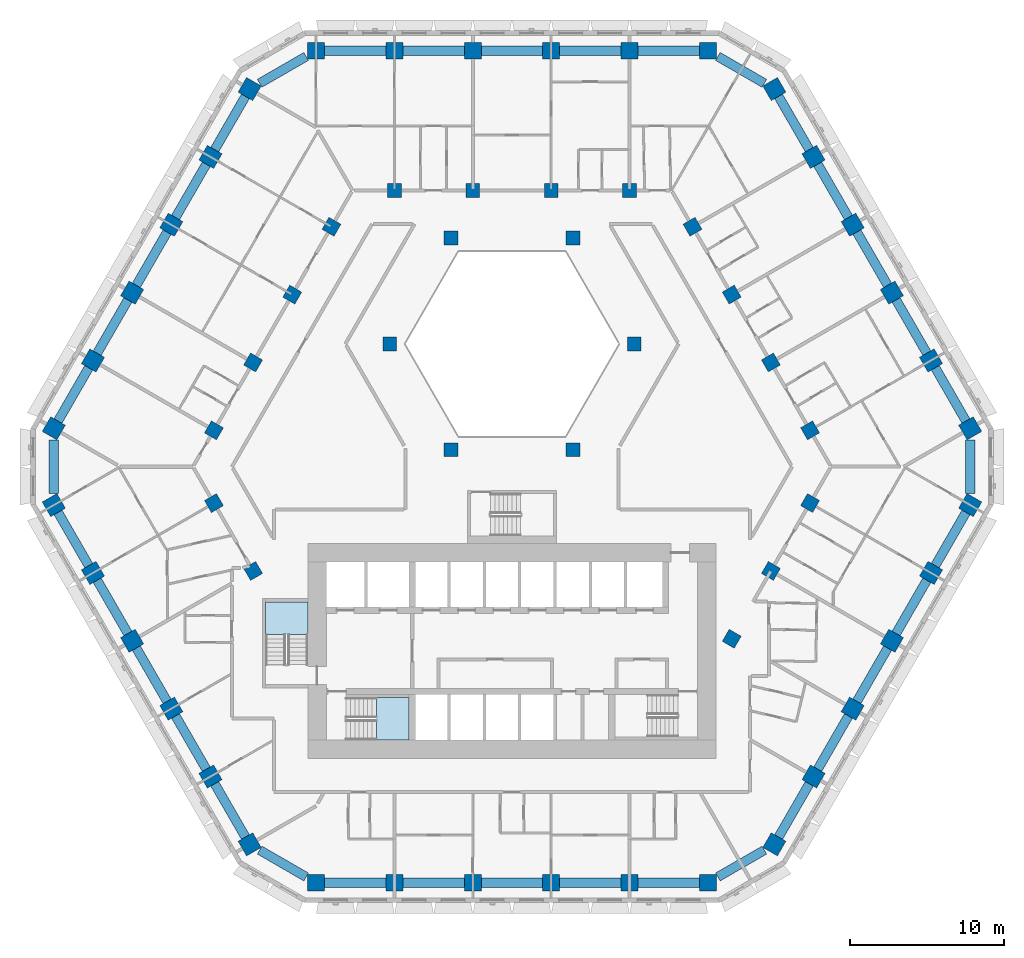
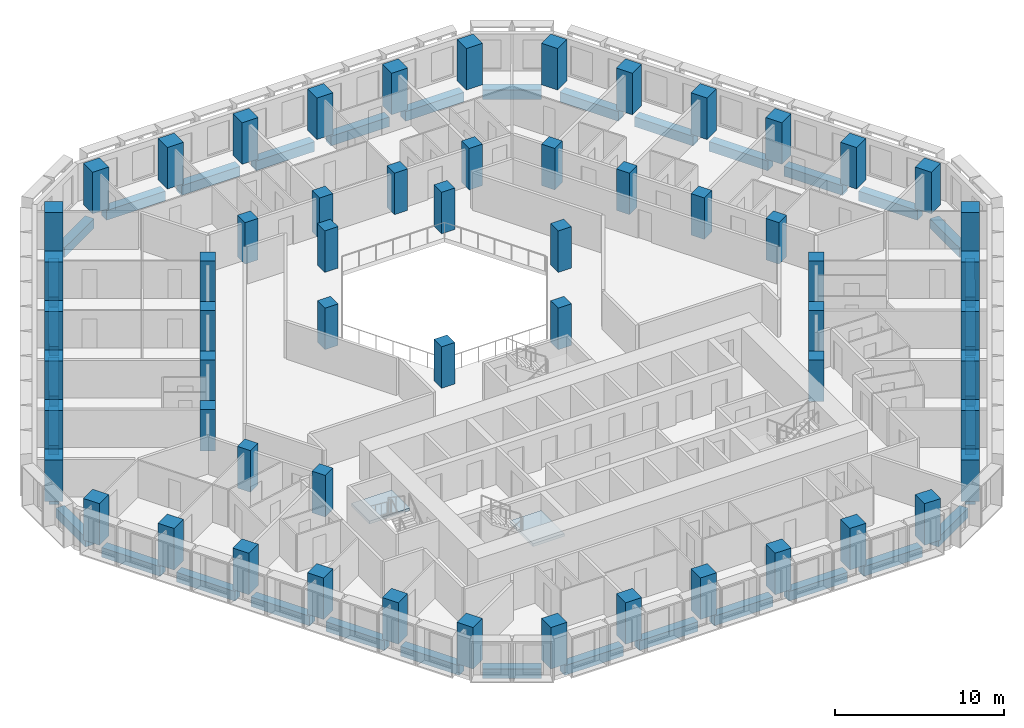
# One storey, part 1 of 21: 59 columns, 36 beams, 2 slabs, 2 elements without a shape of their own.
"""IFC4 building model written with IfcOpenShell, lengths in metres."""

from ifc_helpers import new_model, si_unit, direction, frame, origin, origin_2d, place, context, subcontext, project, spatial, polyline, rectangle, outline, extrude, material, layer, layer_set, material_profile, profile_set, type_object, element, aggregate, save


model = new_model("IFC4")

# Units and contexts
model_context = context("Model", 3, precision=1e-05, world=origin(), true_north=direction((0.0, 1.0)))
body_context = subcontext(model_context, "Body", "Model", "MODEL_VIEW")
ifc_project = project(units=[si_unit("LENGTHUNIT", "METRE"), si_unit("AREAUNIT", "SQUARE_METRE"), si_unit("VOLUMEUNIT", "CUBIC_METRE"), si_unit("PLANEANGLEUNIT", "RADIAN"), si_unit("MASSUNIT", "GRAM", prefix="KILO")], contexts=[model_context])

# Site, building, storey
site_placement = place(None, origin())
site = spatial("IfcSite", under=ifc_project, at=site_placement, CompositionType="ELEMENT")
building_placement = place(site_placement, origin())
building = spatial("IfcBuilding", under=site, at=building_placement, Name="Beryl Residences", CompositionType="ELEMENT")
storey_placement = place(building_placement, frame((0.0, 0.0, 47.39990234375)))
storey = spatial("IfcBuildingStorey", under=building, at=storey_placement, Name="L14", CompositionType="ELEMENT", Elevation=47.39990234375)

# Columns
ifc_material_1 = material(Name="Concrete C80/95", Category="concrete")
ifc_material_profile_1 = material_profile(ifc_material_1, rectangle(XDim=1.10009765625, YDim=1.10009765625, at=origin_2d()))
ifc_profile_set_1 = profile_set([ifc_material_profile_1], Name="Concrete C80/95")
column_type_1 = type_object("IfcColumnType", Name="C1 tube column 1100 x 1100 C80/95", PredefinedType="COLUMN", material=ifc_profile_set_1)
for number, where, z_axis, x_axis, name in (
    (1, (12.759033203125, 27.10009765625, 0.0), (0.0, 0.0, 1.0), (-1.0, 0.0, 0.0), "C1-N1 L14"),
    (2, (7.655029296875, 27.10009765625, 0.0), (0.0, 0.0, 1.0), (-1.0, 0.0, 0.0), "C1-N2 L14"),
    (3, (2.551025390625, 27.10009765625, 0.0), (0.0, 0.0, 1.0), (-1.0, 0.0, 0.0), "C1-N3 L14"),
    (4, (-2.552978515625, 27.10009765625, 0.0), (0.0, 0.0, 1.0), (-1.0, 0.0, 0.0), "C1-N4 L14"),
    (5, (-7.656982421875, 27.10009765625, 0.0), (0.0, 0.0, 1.0), (-1.0, 0.0, 0.0), "C1-N5 L14"),
    (6, (-12.760986328125, 27.10009765625, 0.0), (0.0, 0.0, 1.0), (-1.0, 0.0, 0.0), "C1-N6 L14"),
    (7, (-17.090087890625, 24.60009765625, 0.0), (0.0, 0.0, 1.0), (-0.499984884929, -0.866034130299, 0.0), "C1-NW1 L14"),
    (8, (-19.64208984375, 20.179931640625, 0.0), (0.0, 0.0, 1.0), (-0.499984884929, -0.866034130299, 0.0), "C1-NW2 L14"),
    (9, (-22.194091796875, 15.759033203125, 0.0), (0.0, 0.0, 1.0), (-0.499984884929, -0.866034130299, 0.0), "C1-NW3 L14"),
    (10, (-24.74609375, 11.339111328125, 0.0), (0.0, 0.0, 1.0), (-0.499984884929, -0.866034130299, 0.0), "C1-NW4 L14"),
    (11, (-27.298095703125, 6.9189453125, 0.0), (0.0, 0.0, 1.0), (-0.499984884929, -0.866034130299, 0.0), "C1-NW5 L14"),
    (12, (-29.84912109375, 2.4990234375, 0.0), (0.0, 0.0, 1.0), (-0.499984884929, -0.866034130299, 0.0), "C1-NW6 L14"),
    (13, (-29.847900390625, -2.5, 0.0), (0.0, 0.0, 1.0), (0.499984884929, -0.866034130299, 0.0), "C1-SW1 L14"),
    (14, (-27.297119140625, -6.9208984375, 0.0), (0.0, 0.0, 1.0), (0.499984884929, -0.866034130299, 0.0), "C1-SW2 L14"),
    (15, (-24.7451171875, -11.341064453125, 0.0), (0.0, 0.0, 1.0), (0.499984884929, -0.866034130299, 0.0), "C1-SW3 L14"),
    (16, (-22.193115234375, -15.760986328125, 0.0), (0.0, 0.0, 1.0), (0.499984884929, -0.866034130299, 0.0), "C1-SW4 L14"),
    (17, (-19.64111328125, -20.180908203125, 0.0), (0.0, 0.0, 1.0), (0.499984884929, -0.866034130299, 0.0), "C1-SW5 L14"),
    (18, (-17.089111328125, -24.60107421875, 0.0), (0.0, 0.0, 1.0), (0.499984884929, -0.866034130299, 0.0), "C1-SW6 L14"),
    (19, (-12.759033203125, -27.10009765625, 0.0), (0.0, 0.0, 1.0), (1.0, 0.0, 0.0), "C1-S1 L14"),
    (20, (-7.655029296875, -27.10009765625, 0.0), (0.0, 0.0, 1.0), (1.0, 0.0, 0.0), "C1-S2 L14"),
    (21, (-2.551025390625, -27.10009765625, 0.0), (0.0, 0.0, 1.0), (1.0, 0.0, 0.0), "C1-S3 L14"),
    (22, (2.552978515625, -27.10009765625, 0.0), (0.0, 0.0, 1.0), (1.0, 0.0, 0.0), "C1-S4 L14"),
    (23, (7.656982421875, -27.10009765625, 0.0), (0.0, 0.0, 1.0), (1.0, 0.0, 0.0), "C1-S5 L14"),
    (24, (12.760986328125, -27.10009765625, 0.0), (0.0, 0.0, 1.0), (1.0, 0.0, 0.0), "C1-S6 L14"),
    (25, (17.090087890625, -24.60009765625, 0.0), (0.0, 0.0, 1.0), (0.499984884929, 0.866034130299, 0.0), "C1-SE1 L14"),
    (26, (19.64208984375, -20.179931640625, 0.0), (0.0, 0.0, 1.0), (0.499984884929, 0.866034130299, 0.0), "C1-SE2 L14"),
    (27, (22.194091796875, -15.759033203125, 0.0), (0.0, 0.0, 1.0), (0.499984884929, 0.866034130299, 0.0), "C1-SE3 L14"),
    (28, (24.74609375, -11.339111328125, 0.0), (0.0, 0.0, 1.0), (0.499984884929, 0.866034130299, 0.0), "C1-SE4 L14"),
    (29, (27.298095703125, -6.9189453125, 0.0), (0.0, 0.0, 1.0), (0.499984884929, 0.866034130299, 0.0), "C1-SE5 L14"),
    (30, (29.84912109375, -2.4990234375, 0.0), (0.0, 0.0, 1.0), (0.499984884929, 0.866034130299, 0.0), "C1-SE6 L14"),
    (31, (29.847900390625, 2.5, 0.0), (0.0, 0.0, 1.0), (-0.499984884929, 0.866034130299, 0.0), "C1-NE1 L14"),
    (32, (27.297119140625, 6.9208984375, 0.0), (0.0, 0.0, 1.0), (-0.499984884929, 0.866034130299, 0.0), "C1-NE2 L14"),
    (33, (24.7451171875, 11.341064453125, 0.0), (0.0, 0.0, 1.0), (-0.499984884929, 0.866034130299, 0.0), "C1-NE3 L14"),
    (34, (22.193115234375, 15.760986328125, 0.0), (0.0, 0.0, 1.0), (-0.499984884929, 0.866034130299, 0.0), "C1-NE4 L14"),
    (35, (19.64111328125, 20.180908203125, 0.0), (0.0, 0.0, 1.0), (-0.499984884929, 0.866034130299, 0.0), "C1-NE5 L14"),
    (36, (17.089111328125, 24.60107421875, 0.0), (0.0, 0.0, 1.0), (-0.499984884929, 0.866034130299, 0.0), "C1-NE6 L14"),
):
    element("IfcColumn", number, at=place(storey_placement, frame(where, z_axis=z_axis, x_axis=x_axis)), inside=storey, type_object=column_type_1, Name=name, PredefinedType="COLUMN", context=body_context, shape_type="SweptSolid", body=[
        extrude(rectangle(XDim=1.10009765625, YDim=1.10009765625, at=origin_2d()), origin(), (0.0, 0.0, 1.0), 3.0),
    ])
ifc_material_2 = material(Name="Concrete C80/95", Category="concrete")
ifc_material_profile_2 = material_profile(ifc_material_2, rectangle(XDim=0.89990234375, YDim=0.89990234375, at=origin_2d()))
ifc_profile_set_2 = profile_set([ifc_material_profile_2], Name="Concrete C80/95")
column_type_2 = type_object("IfcColumnType", Name="IC1 interior column 900 x 900 C80/95", PredefinedType="COLUMN", material=ifc_profile_set_2)
for number, where, z_axis, x_axis, name in (
    (37, (-19.416015625, -2.37109375, 0.0), (0.0, 0.0, 1.0), (0.499984884929, -0.866034130299, 0.0), "IC1-M01 L14"),
    (38, (-16.864013671875, -6.791015625, 0.0), (0.0, 0.0, 1.0), (0.499984884929, -0.866034130299, 0.0), "IC1-M02 L14"),
    (39, (14.31298828125, -11.208984375, 0.0), (0.0, 0.0, 1.0), (0.499984884929, 0.866034130299, 0.0), "IC1-M03 L14"),
    (40, (16.864990234375, -6.7890625, 0.0), (0.0, 0.0, 1.0), (0.499984884929, 0.866034130299, 0.0), "IC1-M04 L14"),
    (41, (19.4169921875, -2.368896484375, 0.0), (0.0, 0.0, 1.0), (0.499984884929, 0.866034130299, 0.0), "IC1-M05 L14"),
    (42, (19.416015625, 2.37109375, 0.0), (0.0, 0.0, 1.0), (-0.499984884929, 0.866034130299, 0.0), "IC1-M06 L14"),
    (43, (3.98388671875, 1.10009765625, 0.0), (0.0, 0.0, 1.0), (1.0, 0.0, 0.0), "IC1-A07 L14"),
    (44, (16.864013671875, 6.791015625, 0.0), (0.0, 0.0, 1.0), (-0.499984884929, 0.866034130299, 0.0), "IC1-M08 L14"),
    (45, (14.31201171875, 11.2109375, 0.0), (0.0, 0.0, 1.0), (-0.499984884929, 0.866034130299, 0.0), "IC1-M09 L14"),
    (46, (7.967041015625, 8.0, 0.0), (0.0, 0.0, 1.0), (1.0, 0.0, 0.0), "IC1-A10 L14"),
    (47, (11.760009765625, 15.631103515625, 0.0), (0.0, 0.0, 1.0), (-0.499984884929, 0.866034130299, 0.0), "IC1-M11 L14"),
    (48, (7.655029296875, 18.0, 0.0), (0.0, 0.0, 1.0), (-1.0, 0.0, 0.0), "IC1-M12 L14"),
    (49, (3.98388671875, 14.89990234375, 0.0), (0.0, 0.0, 1.0), (1.0, 0.0, 0.0), "IC1-A13 L14"),
    (50, (2.551025390625, 18.0, 0.0), (0.0, 0.0, 1.0), (-1.0, 0.0, 0.0), "IC1-M14 L14"),
    (51, (-2.552978515625, 18.0, 0.0), (0.0, 0.0, 1.0), (-1.0, 0.0, 0.0), "IC1-M15 L14"),
    (52, (-3.98388671875, 14.89990234375, 0.0), (0.0, 0.0, 1.0), (1.0, 0.0, 0.0), "IC1-A16 L14"),
    (53, (-7.656982421875, 18.0, 0.0), (0.0, 0.0, 1.0), (-1.0, 0.0, 0.0), "IC1-M17 L14"),
    (54, (-11.760986328125, 15.6298828125, 0.0), (0.0, 0.0, 1.0), (-0.499984884929, -0.866034130299, 0.0), "IC1-M18 L14"),
    (55, (-7.967041015625, 8.0, 0.0), (0.0, 0.0, 1.0), (1.0, 0.0, 0.0), "IC1-A19 L14"),
    (56, (-14.31298828125, 11.208984375, 0.0), (0.0, 0.0, 1.0), (-0.499984884929, -0.866034130299, 0.0), "IC1-M20 L14"),
    (57, (-16.864990234375, 6.7890625, 0.0), (0.0, 0.0, 1.0), (-0.499984884929, -0.866034130299, 0.0), "IC1-M21 L14"),
    (58, (-3.98388671875, 1.10009765625, 0.0), (0.0, 0.0, 1.0), (1.0, 0.0, 0.0), "IC1-A22 L14"),
    (59, (-19.4169921875, 2.368896484375, 0.0), (0.0, 0.0, 1.0), (-0.499984884929, -0.866034130299, 0.0), "IC1-M23 L14"),
):
    element("IfcColumn", number, at=place(storey_placement, frame(where, z_axis=z_axis, x_axis=x_axis)), inside=storey, type_object=column_type_2, Name=name, PredefinedType="COLUMN", context=body_context, shape_type="SweptSolid", body=[
        extrude(rectangle(XDim=0.89990234375, YDim=0.89990234375, at=origin_2d()), origin(), (0.0, 0.0, 1.0), 3.0),
    ])

# Beams
ifc_material_3 = material(Name="Concrete C80/95", Category="concrete")
ifc_material_profile_3 = material_profile(ifc_material_3, rectangle(XDim=0.60009765625, YDim=0.699951171875, at=origin_2d()))
ifc_profile_set_3 = profile_set([ifc_material_profile_3], Name="Concrete C80/95")
beam_type = type_object("IfcBeamType", Name="SB1 spandrel beam 600 x 700 C80/95", PredefinedType="SPANDREL", material=ifc_profile_set_3)
for number, where, z_axis, x_axis, name in (
    (60, (12.208984375, 27.10009765625, -0.64990234375), (-1.0, 0.0, 0.0), (0.0, -1.0, 0.0), "SB1 L14 N-0"),
    (61, (7.10498046875, 27.10009765625, -0.64990234375), (-1.0, 0.0, 0.0), (0.0, -1.0, 0.0), "SB1 L14 N-1"),
    (62, (2.0009765625, 27.10009765625, -0.64990234375), (-1.0, 0.0, 0.0), (0.0, -1.0, 0.0), "SB1 L14 N-2"),
    (63, (-3.10302734375, 27.10009765625, -0.64990234375), (-1.0, 0.0, 0.0), (0.0, -1.0, 0.0), "SB1 L14 N-3"),
    (64, (-8.20703125, 27.10009765625, -0.64990234375), (-1.0, 0.0, 0.0), (0.0, -1.0, 0.0), "SB1 L14 N-4"),
):
    element("IfcBeam", number, at=place(storey_placement, frame(where, z_axis=z_axis, x_axis=x_axis)), inside=storey, type_object=beam_type, Name=name, PredefinedType="SPANDREL", context=body_context, shape_type="SweptSolid", body=[
        extrude(rectangle(XDim=0.60009765625, YDim=0.699951171875, at=origin_2d()), origin(), (0.0, 0.0, 1.0), 4.00390625),
    ])
beam_1_placement = place(storey_placement, frame((-13.410888671875, 26.72412109375, -0.64990234375), z_axis=(-0.866121658299, -0.499833245218, 0.0), x_axis=(0.499833245218, -0.866121658299, 0.0)))
element("IfcBeam", 65, at=beam_1_placement, inside=storey, type_object=beam_type, Name="SB1 L14 N-5", PredefinedType="SPANDREL", context=body_context, shape_type="SweptSolid", body=[
    extrude(rectangle(XDim=0.60009765625, YDim=0.699951171875, at=origin_2d()), origin(), (0.0, 0.0, 1.0), 3.497314453125),
])
beam_2_placement = place(storey_placement, frame((-17.364990234375, 24.1240234375, -0.64990234375), z_axis=(-0.499942357345, -0.866058681229, 0.0), x_axis=(0.866058681229, -0.499942357345, 0.0)))
element("IfcBeam", 66, at=beam_2_placement, inside=storey, type_object=beam_type, Name="SB1 L14 NW-0", PredefinedType="SPANDREL", context=body_context, shape_type="SweptSolid", body=[
    extrude(rectangle(XDim=0.60009765625, YDim=0.699951171875, at=origin_2d()), origin(), (0.0, 0.0, 1.0), 4.00439453125),
])
beam_3_placement = place(storey_placement, frame((-19.9169921875, 19.7041015625, -0.64990234375), z_axis=(-0.499836783367, -0.866119616446, 0.0), x_axis=(0.866119616446, -0.499836783367, 0.0)))
element("IfcBeam", 67, at=beam_3_placement, inside=storey, type_object=beam_type, Name="SB1 L14 NW-1", PredefinedType="SPANDREL", context=body_context, shape_type="SweptSolid", body=[
    extrude(rectangle(XDim=0.60009765625, YDim=0.699951171875, at=origin_2d()), origin(), (0.0, 0.0, 1.0), 4.005126953125),
])
for number, where, z_axis, x_axis, name in (
    (68, (-22.468994140625, 15.282958984375, -0.64990234375), (-0.499942357345, -0.866058681229, 0.0), (0.866058681229, -0.499942357345, 0.0), "SB1 L14 NW-2"),
    (69, (-25.02099609375, 10.863037109375, -0.64990234375), (-0.499942357345, -0.866058681229, 0.0), (0.866058681229, -0.499942357345, 0.0), "SB1 L14 NW-3"),
):
    element("IfcBeam", number, at=place(storey_placement, frame(where, z_axis=z_axis, x_axis=x_axis)), inside=storey, type_object=beam_type, Name=name, PredefinedType="SPANDREL", context=body_context, shape_type="SweptSolid", body=[
        extrude(rectangle(XDim=0.60009765625, YDim=0.699951171875, at=origin_2d()), origin(), (0.0, 0.0, 1.0), 4.00439453125),
    ])
beam_4_placement = place(storey_placement, frame((-27.572998046875, 6.443115234375, -0.64990234375), z_axis=(-0.499759404093, -0.866164267342, 0.0), x_axis=(0.866164267342, -0.499759404093, 0.0)))
element("IfcBeam", 70, at=beam_4_placement, inside=storey, type_object=beam_type, Name="SB1 L14 NW-4", PredefinedType="SPANDREL", context=body_context, shape_type="SweptSolid", body=[
    extrude(rectangle(XDim=0.60009765625, YDim=0.699951171875, at=origin_2d()), origin(), (0.0, 0.0, 1.0), 4.00390625),
])
beam_5_placement = place(storey_placement, frame((-29.84912109375, 1.748046875, -0.64990234375), z_axis=(0.000349064486, -0.999999939077, 0.0), x_axis=(0.999999939077, 0.000349064486, 0.0)))
element("IfcBeam", 71, at=beam_5_placement, inside=storey, type_object=beam_type, Name="SB1 L14 NW-5", PredefinedType="SPANDREL", context=body_context, shape_type="SweptSolid", body=[
    extrude(rectangle(XDim=0.60009765625, YDim=0.699951171875, at=origin_2d()), origin(), (0.0, 0.0, 1.0), 3.4970703125),
])
beam_6_placement = place(storey_placement, frame((-29.572998046875, -2.97607421875, -0.64990234375), z_axis=(0.499653843024, -0.866225165388, 0.0), x_axis=(0.866225165388, 0.499653843024, 0.0)))
element("IfcBeam", 72, at=beam_6_placement, inside=storey, type_object=beam_type, Name="SB1 L14 SW-0", PredefinedType="SPANDREL", context=body_context, shape_type="SweptSolid", body=[
    extrude(rectangle(XDim=0.60009765625, YDim=0.699951171875, at=origin_2d()), origin(), (0.0, 0.0, 1.0), 4.004638671875),
])
for number, where, z_axis, x_axis, name in (
    (73, (-27.02197265625, -7.39697265625, -0.64990234375), (0.499942357345, -0.866058681229, 0.0), (0.866058681229, 0.499942357345, 0.0), "SB1 L14 SW-1"),
    (74, (-24.469970703125, -11.81689453125, -0.64990234375), (0.499942357345, -0.866058681229, 0.0), (0.866058681229, 0.499942357345, 0.0), "SB1 L14 SW-2"),
    (75, (-21.91796875, -16.237060546875, -0.64990234375), (0.499942357345, -0.866058681229, 0.0), (0.866058681229, 0.499942357345, 0.0), "SB1 L14 SW-3"),
    (76, (-19.365966796875, -20.656982421875, -0.64990234375), (0.499942357345, -0.866058681229, 0.0), (0.866058681229, 0.499942357345, 0.0), "SB1 L14 SW-4"),
):
    element("IfcBeam", number, at=place(storey_placement, frame(where, z_axis=z_axis, x_axis=x_axis)), inside=storey, type_object=beam_type, Name=name, PredefinedType="SPANDREL", context=body_context, shape_type="SweptSolid", body=[
        extrude(rectangle(XDim=0.60009765625, YDim=0.699951171875, at=origin_2d()), origin(), (0.0, 0.0, 1.0), 4.00439453125),
    ])
beam_7_placement = place(storey_placement, frame((-16.43896484375, -24.97607421875, -0.64990234375), z_axis=(0.866070549782, -0.499921796684, 0.0), x_axis=(0.499921796684, 0.866070549782, 0.0)))
element("IfcBeam", 77, at=beam_7_placement, inside=storey, type_object=beam_type, Name="SB1 L14 SW-5", PredefinedType="SPANDREL", context=body_context, shape_type="SweptSolid", body=[
    extrude(rectangle(XDim=0.60009765625, YDim=0.699951171875, at=origin_2d()), origin(), (0.0, 0.0, 1.0), 3.49853515625),
])
for number, where, z_axis, x_axis, name in (
    (78, (-12.208984375, -27.10009765625, -0.64990234375), (1.0, 0.0, 0.0), (0.0, 1.0, 0.0), "SB1 L14 S-0"),
    (79, (-7.10498046875, -27.10009765625, -0.64990234375), (1.0, 0.0, 0.0), (0.0, 1.0, 0.0), "SB1 L14 S-1"),
    (80, (-2.0009765625, -27.10009765625, -0.64990234375), (1.0, 0.0, 0.0), (0.0, 1.0, 0.0), "SB1 L14 S-2"),
    (81, (3.10302734375, -27.10009765625, -0.64990234375), (1.0, 0.0, 0.0), (0.0, 1.0, 0.0), "SB1 L14 S-3"),
    (82, (8.20703125, -27.10009765625, -0.64990234375), (1.0, 0.0, 0.0), (0.0, 1.0, 0.0), "SB1 L14 S-4"),
):
    element("IfcBeam", number, at=place(storey_placement, frame(where, z_axis=z_axis, x_axis=x_axis)), inside=storey, type_object=beam_type, Name=name, PredefinedType="SPANDREL", context=body_context, shape_type="SweptSolid", body=[
        extrude(rectangle(XDim=0.60009765625, YDim=0.699951171875, at=origin_2d()), origin(), (0.0, 0.0, 1.0), 4.00390625),
    ])
beam_8_placement = place(storey_placement, frame((13.410888671875, -26.72412109375, -0.64990234375), z_axis=(0.866121658299, 0.499833245218, 0.0), x_axis=(-0.499833245218, 0.866121658299, 0.0)))
element("IfcBeam", 83, at=beam_8_placement, inside=storey, type_object=beam_type, Name="SB1 L14 S-5", PredefinedType="SPANDREL", context=body_context, shape_type="SweptSolid", body=[
    extrude(rectangle(XDim=0.60009765625, YDim=0.699951171875, at=origin_2d()), origin(), (0.0, 0.0, 1.0), 3.497314453125),
])
beam_9_placement = place(storey_placement, frame((17.364990234375, -24.1240234375, -0.64990234375), z_axis=(0.499942357345, 0.866058681229, 0.0), x_axis=(-0.866058681229, 0.499942357345, 0.0)))
element("IfcBeam", 84, at=beam_9_placement, inside=storey, type_object=beam_type, Name="SB1 L14 SE-0", PredefinedType="SPANDREL", context=body_context, shape_type="SweptSolid", body=[
    extrude(rectangle(XDim=0.60009765625, YDim=0.699951171875, at=origin_2d()), origin(), (0.0, 0.0, 1.0), 4.00439453125),
])
beam_10_placement = place(storey_placement, frame((19.9169921875, -19.7041015625, -0.64990234375), z_axis=(0.499836783367, 0.866119616446, 0.0), x_axis=(-0.866119616446, 0.499836783367, 0.0)))
element("IfcBeam", 85, at=beam_10_placement, inside=storey, type_object=beam_type, Name="SB1 L14 SE-1", PredefinedType="SPANDREL", context=body_context, shape_type="SweptSolid", body=[
    extrude(rectangle(XDim=0.60009765625, YDim=0.699951171875, at=origin_2d()), origin(), (0.0, 0.0, 1.0), 4.005126953125),
])
for number, where, z_axis, x_axis, name in (
    (86, (22.468994140625, -15.282958984375, -0.64990234375), (0.499942357345, 0.866058681229, 0.0), (-0.866058681229, 0.499942357345, 0.0), "SB1 L14 SE-2"),
    (87, (25.02099609375, -10.863037109375, -0.64990234375), (0.499942357345, 0.866058681229, 0.0), (-0.866058681229, 0.499942357345, 0.0), "SB1 L14 SE-3"),
):
    element("IfcBeam", number, at=place(storey_placement, frame(where, z_axis=z_axis, x_axis=x_axis)), inside=storey, type_object=beam_type, Name=name, PredefinedType="SPANDREL", context=body_context, shape_type="SweptSolid", body=[
        extrude(rectangle(XDim=0.60009765625, YDim=0.699951171875, at=origin_2d()), origin(), (0.0, 0.0, 1.0), 4.00439453125),
    ])
beam_11_placement = place(storey_placement, frame((27.572998046875, -6.443115234375, -0.64990234375), z_axis=(0.499759404093, 0.866164267342, 0.0), x_axis=(-0.866164267342, 0.499759404093, 0.0)))
element("IfcBeam", 88, at=beam_11_placement, inside=storey, type_object=beam_type, Name="SB1 L14 SE-4", PredefinedType="SPANDREL", context=body_context, shape_type="SweptSolid", body=[
    extrude(rectangle(XDim=0.60009765625, YDim=0.699951171875, at=origin_2d()), origin(), (0.0, 0.0, 1.0), 4.00390625),
])
beam_12_placement = place(storey_placement, frame((29.84912109375, -1.748046875, -0.64990234375), z_axis=(-0.000349064486, 0.999999939077, 0.0), x_axis=(-0.999999939077, -0.000349064486, 0.0)))
element("IfcBeam", 89, at=beam_12_placement, inside=storey, type_object=beam_type, Name="SB1 L14 SE-5", PredefinedType="SPANDREL", context=body_context, shape_type="SweptSolid", body=[
    extrude(rectangle(XDim=0.60009765625, YDim=0.699951171875, at=origin_2d()), origin(), (0.0, 0.0, 1.0), 3.4970703125),
])
beam_13_placement = place(storey_placement, frame((29.572998046875, 2.97607421875, -0.64990234375), z_axis=(-0.499653843024, 0.866225165388, 0.0), x_axis=(-0.866225165388, -0.499653843024, 0.0)))
element("IfcBeam", 90, at=beam_13_placement, inside=storey, type_object=beam_type, Name="SB1 L14 NE-0", PredefinedType="SPANDREL", context=body_context, shape_type="SweptSolid", body=[
    extrude(rectangle(XDim=0.60009765625, YDim=0.699951171875, at=origin_2d()), origin(), (0.0, 0.0, 1.0), 4.004638671875),
])
for number, where, z_axis, x_axis, name in (
    (91, (27.02197265625, 7.39697265625, -0.64990234375), (-0.499942357345, 0.866058681229, 0.0), (-0.866058681229, -0.499942357345, 0.0), "SB1 L14 NE-1"),
    (92, (24.469970703125, 11.81689453125, -0.64990234375), (-0.499942357345, 0.866058681229, 0.0), (-0.866058681229, -0.499942357345, 0.0), "SB1 L14 NE-2"),
    (93, (21.91796875, 16.237060546875, -0.64990234375), (-0.499942357345, 0.866058681229, 0.0), (-0.866058681229, -0.499942357345, 0.0), "SB1 L14 NE-3"),
    (94, (19.365966796875, 20.656982421875, -0.64990234375), (-0.499942357345, 0.866058681229, 0.0), (-0.866058681229, -0.499942357345, 0.0), "SB1 L14 NE-4"),
):
    element("IfcBeam", number, at=place(storey_placement, frame(where, z_axis=z_axis, x_axis=x_axis)), inside=storey, type_object=beam_type, Name=name, PredefinedType="SPANDREL", context=body_context, shape_type="SweptSolid", body=[
        extrude(rectangle(XDim=0.60009765625, YDim=0.699951171875, at=origin_2d()), origin(), (0.0, 0.0, 1.0), 4.00439453125),
    ])
beam_14_placement = place(storey_placement, frame((16.43896484375, 24.97607421875, -0.64990234375), z_axis=(-0.866070549782, 0.499921796684, 0.0), x_axis=(-0.499921796684, -0.866070549782, 0.0)))
element("IfcBeam", 95, at=beam_14_placement, inside=storey, type_object=beam_type, Name="SB1 L14 NE-5", PredefinedType="SPANDREL", context=body_context, shape_type="SweptSolid", body=[
    extrude(rectangle(XDim=0.60009765625, YDim=0.699951171875, at=origin_2d()), origin(), (0.0, 0.0, 1.0), 3.49853515625),
])

# Stair, slab
ifc_material_4 = material(Name="Concrete C40/50", Category="concrete")
stair_type = type_object("IfcStairType", Name="ST1 protected exit stair, half-turn, 1300 mm flights", PredefinedType="HALF_TURN_STAIR", material=ifc_material_4)
stair_1_placement = place(storey_placement, origin())
stair_1 = element("IfcStair", 96, at=stair_1_placement, inside=storey, type_object=stair_type, Name="L14 PROTECTED EXIT STAIR ST-1", PredefinedType="HALF_TURN_STAIR")
ifc_material_5 = material(Name="Concrete C40/50", Category="concrete")
ifc_layer = layer(ifc_material_5, 0.199951171875)
ifc_layer_set = layer_set([ifc_layer], Name="SLD1 stair landing 200 mm")
slab_type = type_object("IfcSlabType", Name="SLD1 stair landing 200 mm", PredefinedType="LANDING", material=ifc_layer_set)
slab_1_placement = place(storey_placement, frame((0.0, 0.0, 1.300048828125)))
slab_1 = element("IfcSlab", 97, at=slab_1_placement, type_object=slab_type, Name="ST-1 landing 1", PredefinedType="LANDING", context=body_context, shape_type="SweptSolid", body=[
    extrude(outline(polyline([(-8.840087890625, -17.800048828125), (-6.699951171875, -17.800048828125), (-6.699951171875, -15.050048828125), (-8.840087890625, -15.050048828125), (-8.840087890625, -17.800048828125)])), origin(), (0.0, 0.0, 1.0), 0.199951171875),
])
aggregate(stair_1, [slab_1])

stair_2_placement = place(storey_placement, origin())
stair_2 = element("IfcStair", 98, at=stair_2_placement, inside=storey, type_object=stair_type, Name="L14 PROTECTED EXIT STAIR ST-2", PredefinedType="HALF_TURN_STAIR")
slab_2_placement = place(storey_placement, frame((0.0, 0.0, 1.300048828125)))
slab_2 = element("IfcSlab", 99, at=slab_2_placement, type_object=slab_type, Name="ST-2 landing 1", PredefinedType="LANDING", context=body_context, shape_type="SweptSolid", body=[
    extrude(outline(polyline([(-13.300048828125, -10.93994140625), (-13.300048828125, -8.800048828125), (-16.050048828125, -8.800048828125), (-16.050048828125, -10.93994140625), (-13.300048828125, -10.93994140625)])), origin(), (0.0, 0.0, 1.0), 0.199951171875),
])
aggregate(stair_2, [slab_2])

save(model, "model.ifc")
